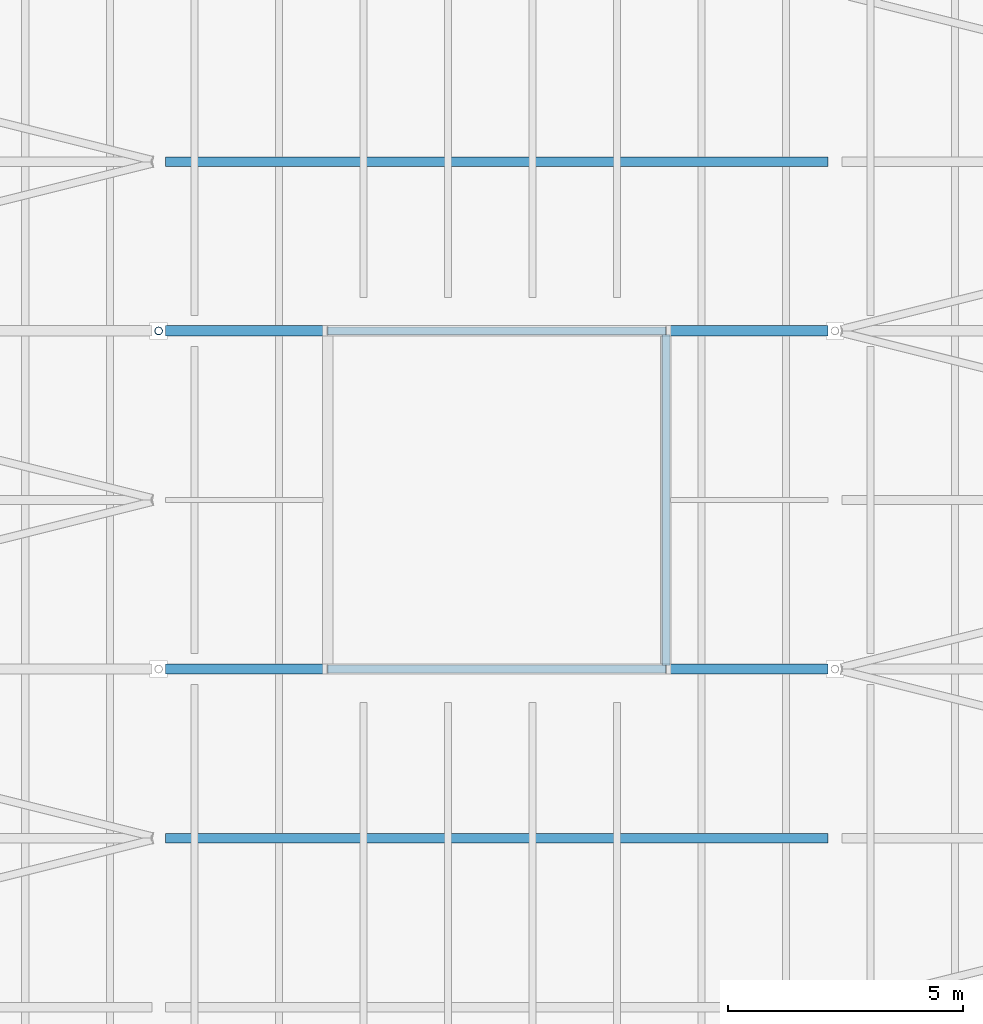
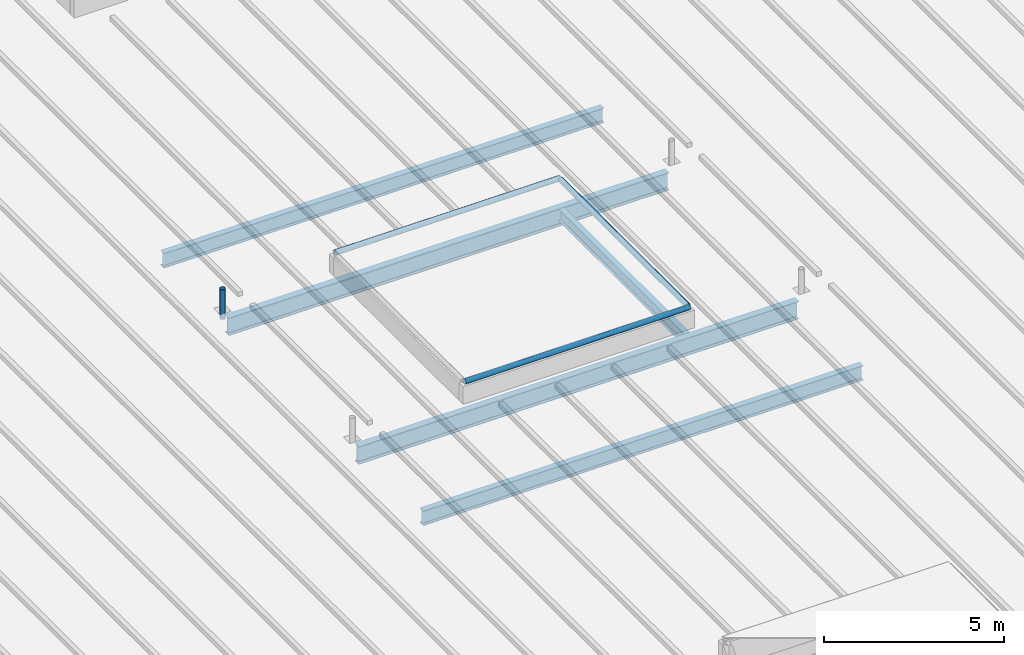
# One storey, part 47 of 120: 5 beams, 4 members.
"""IFC4 building model written with IfcOpenShell, lengths in metres."""

from ifc_helpers import new_model, si_unit, direction, frame, origin, origin_2d, place, context, subcontext, project, spatial, hollow_circle, i_section, extrude, material, material_profile, profile_set, type_object, element, save


model = new_model("IFC4")

# Units and contexts
model_context = context("Model", 3, precision=1e-05, world=origin(), true_north=direction((0.0, 1.0)))
body_context = subcontext(model_context, "Body", "Model", "MODEL_VIEW")
ifc_project = project(units=[si_unit("LENGTHUNIT", "METRE"), si_unit("AREAUNIT", "SQUARE_METRE"), si_unit("VOLUMEUNIT", "CUBIC_METRE"), si_unit("PLANEANGLEUNIT", "RADIAN"), si_unit("MASSUNIT", "GRAM", prefix="KILO")], contexts=[model_context])

# Site, building, storey
site_placement = place(None, origin())
site = spatial("IfcSite", under=ifc_project, at=site_placement, CompositionType="ELEMENT")
building_placement = place(site_placement, origin())
building = spatial("IfcBuilding", under=site, at=building_placement, Name="Kupolbacken Congress Centre", CompositionType="ELEMENT")
storey_placement = place(building_placement, frame((0.0, 0.0, 21.60009765625)))
storey = spatial("IfcBuildingStorey", under=building, at=storey_placement, Name="L06", CompositionType="ELEMENT", Elevation=21.60009765625)

# Beams
ifc_material_1 = material(Name="Steel S355", Category="steel")
ifc_material_profile_1 = material_profile(ifc_material_1, i_section(OverallWidth=0.179931640625, OverallDepth=0.39990234375, WebThickness=0.008544921875, FlangeThickness=0.013427734375, FilletRadius=0.02099609375, at=origin_2d()), Name="IPE 400")
ifc_profile_set_1 = profile_set([ifc_material_profile_1], Name="Steel S355")
beam_type_1 = type_object("IfcBeamType", Name="B07 beam IPE 400", PredefinedType="BEAM", material=ifc_profile_set_1)
beam_placement = place(storey_placement, frame((176.39990234375, 75.699951171875, -0.2001953125), z_axis=(0.0, 1.0, 0.0), x_axis=(-1.0, 0.0, 0.0)))
element("IfcBeam", 1, at=beam_placement, inside=storey, type_object=beam_type_1, Name="HR/CT8E", PredefinedType="BEAM", context=body_context, shape_type="SweptSolid", body=[
    extrude(i_section(OverallWidth=0.179931640625, OverallDepth=0.39990234375, WebThickness=0.008544921875, FlangeThickness=0.013427734375, FilletRadius=0.02099609375, at=origin_2d()), origin(), (0.0, 0.0, 1.0), 7.0),
])
ifc_material_2 = material(Name="Steel S355", Category="steel")
ifc_material_profile_2 = material_profile(ifc_material_2, i_section(OverallWidth=0.199951171875, OverallDepth=0.5, WebThickness=0.01025390625, FlangeThickness=0.01611328125, FilletRadius=0.02099609375, at=origin_2d()), Name="IPE 500")
ifc_profile_set_2 = profile_set([ifc_material_profile_2], Name="Steel S355")
beam_type_2 = type_object("IfcBeamType", Name="B09 beam IPE 500", PredefinedType="BEAM", material=ifc_profile_set_2)
for number, where, z_axis, x_axis, name in (
    (2, (165.7451171875, 72.0, -0.25), (1.0, 0.0, 0.0), (0.0, 1.0, 0.0), "HR/P08-06"),
    (3, (165.7451171875, 86.39990234375, -0.25), (1.0, 0.0, 0.0), (0.0, 1.0, 0.0), "HR/P12-06"),
):
    element("IfcBeam", number, at=place(storey_placement, frame(where, z_axis=z_axis, x_axis=x_axis)), inside=storey, type_object=beam_type_2, Name=name, PredefinedType="BEAM", context=body_context, shape_type="SweptSolid", body=[
        extrude(i_section(OverallWidth=0.199951171875, OverallDepth=0.5, WebThickness=0.01025390625, FlangeThickness=0.01611328125, FilletRadius=0.02099609375, at=origin_2d()), origin(), (0.0, 0.0, 1.0), 14.10986328125),
    ])
ifc_material_3 = material(Name="Steel S355", Category="steel")
ifc_material_profile_3 = material_profile(ifc_material_3, i_section(OverallWidth=0.219970703125, OverallDepth=0.60009765625, WebThickness=0.011962890625, FlangeThickness=0.01904296875, FilletRadius=0.02392578125, at=origin_2d()), Name="IPE 600")
ifc_profile_set_3 = profile_set([ifc_material_profile_3], Name="Steel S355")
beam_type_3 = type_object("IfcBeamType", Name="B11 beam IPE 600", PredefinedType="BEAM", material=ifc_profile_set_3)
for number, where, z_axis, x_axis, name in (
    (4, (165.7451171875, 75.60009765625, -0.300048828125), (1.0, 0.0, 0.0), (0.0, 1.0, 0.0), "HR/X09-06"),
    (5, (165.7451171875, 82.800048828125, -0.300048828125), (1.0, 0.0, 0.0), (0.0, 1.0, 0.0), "HR/X11-06"),
):
    element("IfcBeam", number, at=place(storey_placement, frame(where, z_axis=z_axis, x_axis=x_axis)), inside=storey, type_object=beam_type_3, Name=name, PredefinedType="BEAM", context=body_context, shape_type="SweptSolid", body=[
        extrude(i_section(OverallWidth=0.219970703125, OverallDepth=0.60009765625, WebThickness=0.011962890625, FlangeThickness=0.01904296875, FilletRadius=0.02392578125, at=origin_2d()), origin(), (0.0, 0.0, 1.0), 14.10986328125),
    ])

# Members
ifc_material_4 = material(Name="Steel S355", Category="steel")
ifc_material_profile_4 = material_profile(ifc_material_4, hollow_circle(Radius=0.084228515625, WallThickness=0.008056640625, at=origin_2d()), Name="CHS 168.3 x 8")
ifc_profile_set_4 = profile_set([ifc_material_profile_4], Name="Steel S355")
member_type_1 = type_object("IfcMemberType", Name="M20 transfer truss post CHS 168.3 x 8", PredefinedType="STRUT", material=ifc_profile_set_4)
member_1_placement = place(storey_placement, frame((165.60009765625, 82.800048828125, -0.010009765625), z_axis=(0.0, 0.0, 1.0), x_axis=(1.0, 0.0, 0.0)))
element("IfcMember", 6, at=member_1_placement, inside=storey, type_object=member_type_1, Name="Roof stay anchor post M6N.2", PredefinedType="STRUT", context=body_context, shape_type="SweptSolid", body=[
    extrude(hollow_circle(Radius=0.084228515625, WallThickness=0.008056640625, at=origin_2d()), origin(), (0.0, 0.0, 1.0), 1.010009765625),
])
ifc_material_5 = material(Name="Steel S355", Category="steel")
ifc_material_profile_5 = material_profile(ifc_material_5, hollow_circle(Radius=0.084228515625, WallThickness=0.008056640625, at=origin_2d()), Name="CHS 168.3 x 8")
ifc_profile_set_5 = profile_set([ifc_material_profile_5], Name="Steel S355")
member_type_2 = type_object("IfcMemberType", Name="M21 brace CHS 168.3 x 8", PredefinedType="BRACE", material=ifc_profile_set_5)
for number, where, z_axis, x_axis, name in (
    (7, (169.199951171875, 75.60009765625, 0.944091796875), (1.0, 0.0, 0.0), (0.0, 1.0, 0.0), "RD/RL8/FS"),
    (8, (169.199951171875, 82.800048828125, 0.944091796875), (1.0, 0.0, 0.0), (0.0, 1.0, 0.0), "RD/RL8/FN"),
):
    element("IfcMember", number, at=place(storey_placement, frame(where, z_axis=z_axis, x_axis=x_axis)), inside=storey, type_object=member_type_2, Name=name, PredefinedType="BRACE", context=body_context, shape_type="SweptSolid", body=[
        extrude(hollow_circle(Radius=0.084228515625, WallThickness=0.008056640625, at=origin_2d()), origin(), (0.0, 0.0, 1.0), 7.199951171875),
    ])
member_2_placement = place(storey_placement, frame((176.39990234375, 75.674072265625, 0.944091796875), z_axis=(0.0, 1.0, 0.0), x_axis=(-1.0, 0.0, 0.0)))
element("IfcMember", 9, at=member_2_placement, inside=storey, type_object=member_type_2, Name="RD/RL8/FE", PredefinedType="BRACE", context=body_context, shape_type="SweptSolid", body=[
    extrude(hollow_circle(Radius=0.084228515625, WallThickness=0.008056640625, at=origin_2d()), origin(), (0.0, 0.0, 1.0), 7.0517578125),
])

save(model, "model.ifc")
